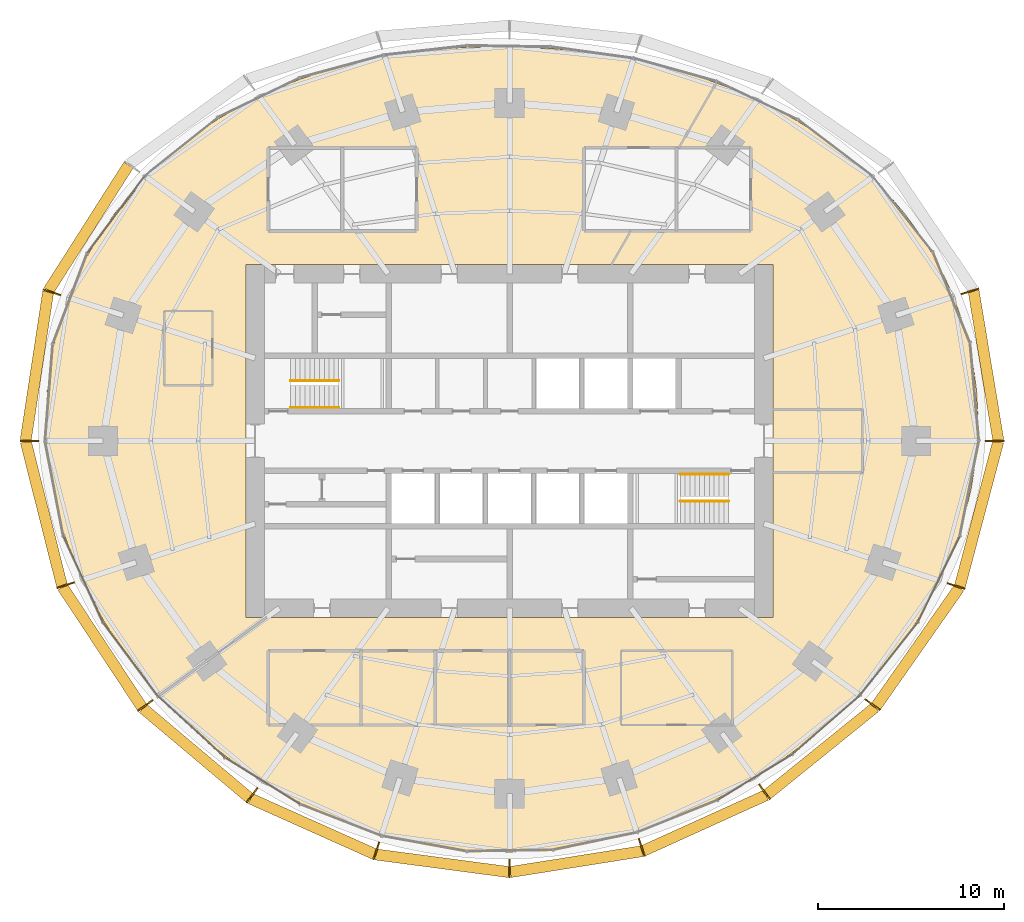
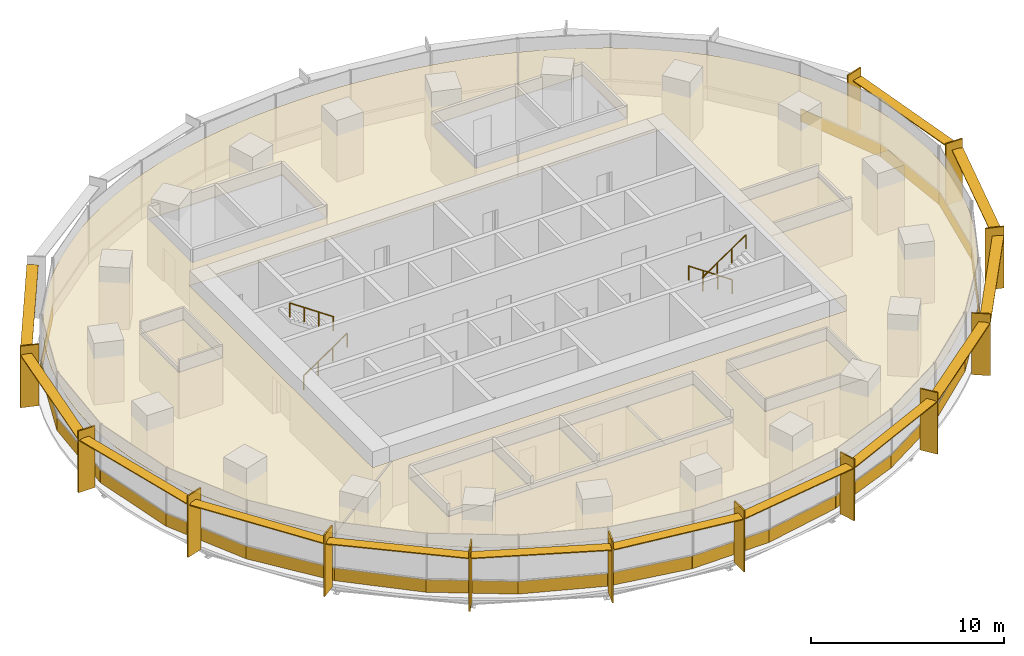
# One storey, part 13 of 14: 29 coverings, 26 shading devices, 4 railings.
"""IFC4 building model written with IfcOpenShell, lengths in metres."""

from ifc_helpers import new_model, si_unit, direction, frame, origin, origin_2d, place, context, subcontext, project, spatial, polyline, rectangle, circle, outline, extrude, material, layer, layer_set, type_object, element, save


model = new_model("IFC4")

# Units and contexts
model_context = context("Model", 3, precision=1e-05, world=origin(), true_north=direction((0.0, 1.0)))
body_context = subcontext(model_context, "Body", "Model", "MODEL_VIEW")
ifc_project = project(units=[si_unit("LENGTHUNIT", "METRE"), si_unit("AREAUNIT", "SQUARE_METRE"), si_unit("VOLUMEUNIT", "CUBIC_METRE"), si_unit("PLANEANGLEUNIT", "RADIAN"), si_unit("MASSUNIT", "GRAM", prefix="KILO")], contexts=[model_context])

# Site, building, storey
site_placement = place(None, origin())
site = spatial("IfcSite", under=ifc_project, at=site_placement, CompositionType="ELEMENT")
building_placement = place(site_placement, origin())
building = spatial("IfcBuilding", under=site, at=building_placement, Name="Marramba Exchange Tower", CompositionType="ELEMENT")
storey_placement = place(building_placement, frame((0.0, 0.0, 139.199951171875)))
storey = spatial("IfcBuildingStorey", under=building, at=storey_placement, Name="L33", CompositionType="ELEMENT", Elevation=139.199951171875)

# Shading devices
ifc_material_1 = material(Name="Aluminium blade, timber-look bronze finish", Category="wood")
ifc_layer_1 = layer(ifc_material_1, 0.080078125)
ifc_layer_set_1 = layer_set([ifc_layer_1], Name="Floor-edge blade 1000x80")
shading_device_type_1 = type_object("IfcShadingDeviceType", Name="Floor-edge blade 1000x80", PredefinedType="USERDEFINED", material=ifc_layer_set_1)
for number, where, z_axis, x_axis, name in (
    (1, (26.132080078125, 0.0, -0.159912109375), (0.0, 0.0, 1.0), (1.0, 0.0, 0.0), "Floor-edge blade FB1 L33 TC01"),
    (2, (24.798583984375, 8.0576171875, -0.159912109375), (0.0, 0.0, 1.0), (0.951056516295, 0.309016994375, 0.0), "Floor-edge blade FB1 L33 TC02"),
    (3, (-24.653076171875, 8.01025390625, -0.159912109375), (0.0, 0.0, 1.0), (-0.951056516295, 0.309016994375, 0.0), "Floor-edge blade FB1 L33 TC10"),
    (4, (-25.867919921875, 0.0, -0.159912109375), (0.0, 0.0, 1.0), (-1.0, 0.0, 0.0), "Floor-edge blade FB1 L33 TC11"),
    (5, (-23.90673828125, -7.767822265625, -0.159912109375), (0.0, 0.0, 1.0), (-0.951056516295, -0.309016994375, 0.0), "Floor-edge blade FB1 L33 TC12"),
    (6, (-19.618408203125, -14.253662109375, -0.159912109375), (0.0, 0.0, 1.0), (-0.809016994375, -0.587785252292, 0.0), "Floor-edge blade FB1 L33 TC13"),
    (7, (-13.866943359375, -19.08642578125, -0.159912109375), (0.0, 0.0, 1.0), (-0.587785252292, -0.809016994375, 0.0), "Floor-edge blade FB1 L33 TC14"),
    (8, (-7.173828125, -22.078857421875, -0.159912109375), (0.0, 0.0, 1.0), (-0.309016994375, -0.951056516295, 0.0), "Floor-edge blade FB1 L33 TC15"),
    (9, (0.0, -23.02685546875, -0.159912109375), (0.0, 0.0, 1.0), (0.0, -1.0, 0.0), "Floor-edge blade FB1 L33 TC16"),
    (10, (7.115966796875, -21.900634765625, -0.159912109375), (0.0, 0.0, 1.0), (0.309016994375, -0.951056516295, 0.0), "Floor-edge blade FB1 L33 TC17"),
    (11, (13.733154296875, -18.902099609375, -0.159912109375), (0.0, 0.0, 1.0), (0.587785252292, -0.809016994375, 0.0), "Floor-edge blade FB1 L33 TC18"),
    (12, (19.555908203125, -14.208251953125, -0.159912109375), (0.0, 0.0, 1.0), (0.809016994375, -0.587785252292, 0.0), "Floor-edge blade FB1 L33 TC19"),
    (13, (24.052001953125, -7.81494140625, -0.159912109375), (0.0, 0.0, 1.0), (0.951056516295, -0.309016994375, 0.0), "Floor-edge blade FB1 L33 TC20"),
):
    element("IfcShadingDevice", number, at=place(storey_placement, frame(where, z_axis=z_axis, x_axis=x_axis)), inside=storey, type_object=shading_device_type_1, Name=name, ObjectType="FIN", PredefinedType="USERDEFINED", context=body_context, shape_type="SweptSolid", body=[
        extrude(rectangle(XDim=1.0, YDim=0.080078125, at=origin_2d()), origin(), (0.0, 0.0, 1.0), 3.89990234375),
    ])
ifc_material_2 = material(Name="Aluminium sunshade, bronze anodised", Category="aluminium")
ifc_layer_2 = layer(ifc_material_2, 0.06005859375)
ifc_layer_set_2 = layer_set([ifc_layer_2], Name="SUNSHADE blade 600x60")
shading_device_type_2 = type_object("IfcShadingDeviceType", Name="SUNSHADE blade 600x60", PredefinedType="USERDEFINED", material=ifc_layer_set_2)
shading_device_1_placement = place(storey_placement, frame((25.660400390625, 4.0595703125, 3.159912109375), z_axis=(0.0, 0.0, 1.0), x_axis=(-0.163227675764, 0.986588427798, 0.0)))
element("IfcShadingDevice", 14, at=shading_device_1_placement, inside=storey, type_object=shading_device_type_2, Name="Sunshade SS1 L33 bay 01", ObjectType="SUNSHADE", PredefinedType="USERDEFINED", context=body_context, shape_type="SweptSolid", body=[
    extrude(rectangle(XDim=8.149658203125, YDim=0.60009765625, at=origin_2d()), origin(), (0.0, 0.0, 1.0), 0.06005859375),
])
shading_device_2_placement = place(storey_placement, frame((-22.6708984375, 11.482421875, 3.159912109375), z_axis=(0.0, 0.0, 1.0), x_axis=(-0.537284770546, -0.843400898351, 0.0)))
element("IfcShadingDevice", 15, at=shading_device_2_placement, inside=storey, type_object=shading_device_type_2, Name="Sunshade SS1 L33 bay 09", ObjectType="SUNSHADE", PredefinedType="USERDEFINED", context=body_context, shape_type="SweptSolid", body=[
    extrude(rectangle(XDim=8.007080078125, YDim=0.60009765625, at=origin_2d()), origin(), (0.0, 0.0, 1.0), 0.06005859375),
])
shading_device_3_placement = place(storey_placement, frame((-25.455810546875, 4.0361328125, 3.159912109375), z_axis=(0.0, 0.0, 1.0), x_axis=(-0.14999307077, -0.988687047918, 0.0)))
element("IfcShadingDevice", 16, at=shading_device_3_placement, inside=storey, type_object=shading_device_type_2, Name="Sunshade SS1 L33 bay 10", ObjectType="SUNSHADE", PredefinedType="USERDEFINED", context=body_context, shape_type="SweptSolid", body=[
    extrude(rectangle(XDim=8.08447265625, YDim=0.60009765625, at=origin_2d()), origin(), (0.0, 0.0, 1.0), 0.06005859375),
])
shading_device_4_placement = place(storey_placement, frame((-25.08251953125, -3.914794921875, 3.159912109375), z_axis=(0.0, 0.0, 1.0), x_axis=(0.244116522902, -0.969745906537, 0.0)))
element("IfcShadingDevice", 17, at=shading_device_4_placement, inside=storey, type_object=shading_device_type_2, Name="Sunshade SS1 L33 bay 11", ObjectType="SUNSHADE", PredefinedType="USERDEFINED", context=body_context, shape_type="SweptSolid", body=[
    extrude(rectangle(XDim=7.993896484375, YDim=0.60009765625, at=origin_2d()), origin(), (0.0, 0.0, 1.0), 0.06005859375),
])
shading_device_5_placement = place(storey_placement, frame((-21.938720703125, -11.100341796875, 3.159912109375), z_axis=(0.0, 0.0, 1.0), x_axis=(0.550792342935, -0.834642315585, 0.0)))
element("IfcShadingDevice", 18, at=shading_device_5_placement, inside=storey, type_object=shading_device_type_2, Name="Sunshade SS1 L33 bay 12", ObjectType="SUNSHADE", PredefinedType="USERDEFINED", context=body_context, shape_type="SweptSolid", body=[
    extrude(rectangle(XDim=7.757568359375, YDim=0.60009765625, at=origin_2d()), origin(), (0.0, 0.0, 1.0), 0.06005859375),
])
shading_device_6_placement = place(storey_placement, frame((-16.88232421875, -16.8095703125, 3.159912109375), z_axis=(0.0, 0.0, 1.0), x_axis=(0.76513863304, -0.643865569998, 0.0)))
element("IfcShadingDevice", 19, at=shading_device_6_placement, inside=storey, type_object=shading_device_type_2, Name="Sunshade SS1 L33 bay 13", ObjectType="SUNSHADE", PredefinedType="USERDEFINED", context=body_context, shape_type="SweptSolid", body=[
    extrude(rectangle(XDim=7.49462890625, YDim=0.60009765625, at=origin_2d()), origin(), (0.0, 0.0, 1.0), 0.06005859375),
])
shading_device_7_placement = place(storey_placement, frame((-10.610107421875, -20.758544921875, 3.159912109375), z_axis=(0.0, 0.0, 1.0), x_axis=(0.912735880581, -0.408550134377, 0.0)))
element("IfcShadingDevice", 20, at=shading_device_7_placement, inside=storey, type_object=shading_device_type_2, Name="Sunshade SS1 L33 bay 14", ObjectType="SUNSHADE", PredefinedType="USERDEFINED", context=body_context, shape_type="SweptSolid", body=[
    extrude(rectangle(XDim=7.314208984375, YDim=0.60009765625, at=origin_2d()), origin(), (0.0, 0.0, 1.0), 0.06005859375),
])
shading_device_8_placement = place(storey_placement, frame((-3.617919921875, -22.748046875, 3.159912109375), z_axis=(0.0, 0.0, 1.0), x_axis=(0.991350478855, -0.131241106646, 0.0)))
element("IfcShadingDevice", 21, at=shading_device_8_placement, inside=storey, type_object=shading_device_type_2, Name="Sunshade SS1 L33 bay 15", ObjectType="SUNSHADE", PredefinedType="USERDEFINED", context=body_context, shape_type="SweptSolid", body=[
    extrude(rectangle(XDim=7.21875, YDim=0.60009765625, at=origin_2d()), origin(), (0.0, 0.0, 1.0), 0.06005859375),
])
shading_device_9_placement = place(storey_placement, frame((3.5888671875, -22.658935546875, 3.159912109375), z_axis=(0.0, 0.0, 1.0), x_axis=(0.987704817912, 0.15633039587, 0.0)))
element("IfcShadingDevice", 22, at=shading_device_9_placement, inside=storey, type_object=shading_device_type_2, Name="Sunshade SS1 L33 bay 16", ObjectType="SUNSHADE", PredefinedType="USERDEFINED", context=body_context, shape_type="SweptSolid", body=[
    extrude(rectangle(XDim=7.18701171875, YDim=0.60009765625, at=origin_2d()), origin(), (0.0, 0.0, 1.0), 0.06005859375),
])
shading_device_10_placement = place(storey_placement, frame((10.514404296875, -20.577392578125, 3.159912109375), z_axis=(0.0, 0.0, 1.0), x_axis=(0.910692240548, 0.413085515366, 0.0)))
element("IfcShadingDevice", 23, at=shading_device_10_placement, inside=storey, type_object=shading_device_type_2, Name="Sunshade SS1 L33 bay 17", ObjectType="SUNSHADE", PredefinedType="USERDEFINED", context=body_context, shape_type="SweptSolid", body=[
    extrude(rectangle(XDim=7.24755859375, YDim=0.60009765625, at=origin_2d()), origin(), (0.0, 0.0, 1.0), 0.06005859375),
])
shading_device_11_placement = place(storey_placement, frame((16.7841796875, -16.69482421875, 3.159912109375), z_axis=(0.0, 0.0, 1.0), x_axis=(0.777962439436, 0.628310785223, 0.0)))
element("IfcShadingDevice", 24, at=shading_device_11_placement, inside=storey, type_object=shading_device_type_2, Name="Sunshade SS1 L33 bay 18", ObjectType="SUNSHADE", PredefinedType="USERDEFINED", context=body_context, shape_type="SweptSolid", body=[
    extrude(rectangle(XDim=7.46142578125, YDim=0.60009765625, at=origin_2d()), origin(), (0.0, 0.0, 1.0), 0.06005859375),
])
shading_device_12_placement = place(storey_placement, frame((21.97998046875, -11.101318359375, 3.159912109375), z_axis=(0.0, 0.0, 1.0), x_axis=(0.574350885858, 0.818609222959, 0.0)))
element("IfcShadingDevice", 25, at=shading_device_12_placement, inside=storey, type_object=shading_device_type_2, Name="Sunshade SS1 L33 bay 19", ObjectType="SUNSHADE", PredefinedType="USERDEFINED", context=body_context, shape_type="SweptSolid", body=[
    extrude(rectangle(XDim=7.7978515625, YDim=0.60009765625, at=origin_2d()), origin(), (0.0, 0.0, 1.0), 0.06005859375),
])
shading_device_13_placement = place(storey_placement, frame((25.287109375, -3.9384765625, 3.159912109375), z_axis=(0.0, 0.0, 1.0), x_axis=(0.256422950151, 0.966564674833, 0.0)))
element("IfcShadingDevice", 26, at=shading_device_13_placement, inside=storey, type_object=shading_device_type_2, Name="Sunshade SS1 L33 bay 20", ObjectType="SUNSHADE", PredefinedType="USERDEFINED", context=body_context, shape_type="SweptSolid", body=[
    extrude(rectangle(XDim=8.0693359375, YDim=0.60009765625, at=origin_2d()), origin(), (0.0, 0.0, 1.0), 0.06005859375),
])

# Coverings
ifc_material_3 = material(Name="Aluminium spandrel panel, bronze anodised, insulated", Category="aluminium")
ifc_layer_3 = layer(ifc_material_3, 0.050048828125)
ifc_layer_set_3 = layer_set([ifc_layer_3], Name="Spandrel panel 800")
covering_type_1 = type_object("IfcCoveringType", Name="Spandrel panel 800", PredefinedType="CLADDING", material=ifc_layer_set_3)
covering_1_placement = place(storey_placement, frame((25.04541015625, 2.63671875, 0.0), z_axis=(0.0, 0.0, 1.0), x_axis=(-0.089412890131, 0.995994646109, 0.0)))
element("IfcCovering", 27, at=covering_1_placement, inside=storey, type_object=covering_type_1, Name="Spandrel panel SP1 L33 F01", PredefinedType="CLADDING", context=body_context, shape_type="SweptSolid", body=[
    extrude(rectangle(XDim=5.29443359375, YDim=0.050048828125, at=origin_2d()), origin(), (0.0, 0.0, 1.0), 0.800048828125),
])
covering_2_placement = place(storey_placement, frame((23.81201171875, 7.715576171875, 0.0), z_axis=(0.0, 0.0, 1.0), x_axis=(-0.377821185272, 0.925878583811, 0.0)))
element("IfcCovering", 28, at=covering_2_placement, inside=storey, type_object=covering_type_1, Name="Spandrel panel SP1 L33 F02", PredefinedType="CLADDING", context=body_context, shape_type="SweptSolid", body=[
    extrude(rectangle(XDim=5.27587890625, YDim=0.050048828125, at=origin_2d()), origin(), (0.0, 0.0, 1.0), 0.800048828125),
])
covering_3_placement = place(storey_placement, frame((-21.19580078125, 12.20068359375, 0.0), z_axis=(0.0, 0.0, 1.0), x_axis=(-0.597703998161, -0.801716864349, 0.0)))
element("IfcCovering", 29, at=covering_3_placement, inside=storey, type_object=covering_type_1, Name="Spandrel panel SP1 L33 F13", PredefinedType="CLADDING", context=body_context, shape_type="SweptSolid", body=[
    extrude(rectangle(XDim=5.17626953125, YDim=0.050048828125, at=origin_2d()), origin(), (0.0, 0.0, 1.0), 0.800048828125),
])
covering_4_placement = place(storey_placement, frame((-23.671875, 7.677490234375, 0.0), z_axis=(0.0, 0.0, 1.0), x_axis=(-0.354844476365, -0.934925343326, 0.0)))
element("IfcCovering", 30, at=covering_4_placement, inside=storey, type_object=covering_type_1, Name="Spandrel panel SP1 L33 F14", PredefinedType="CLADDING", context=body_context, shape_type="SweptSolid", body=[
    extrude(rectangle(XDim=5.2373046875, YDim=0.050048828125, at=origin_2d()), origin(), (0.0, 0.0, 1.0), 0.800048828125),
])
covering_5_placement = place(storey_placement, frame((-24.8095703125, 2.614501953125, 0.0), z_axis=(0.0, 0.0, 1.0), x_axis=(-0.079459700697, -0.996838079111, 0.0)))
element("IfcCovering", 31, at=covering_5_placement, inside=storey, type_object=covering_type_1, Name="Spandrel panel SP1 L33 F15", PredefinedType="CLADDING", context=body_context, shape_type="SweptSolid", body=[
    extrude(rectangle(XDim=5.245849609375, YDim=0.050048828125, at=origin_2d()), origin(), (0.0, 0.0, 1.0), 0.800048828125),
])
covering_6_placement = place(storey_placement, frame((-24.5283203125, -2.5546875, 0.0), z_axis=(0.0, 0.0, 1.0), x_axis=(0.188227222909, -0.982125507538, 0.0)))
element("IfcCovering", 32, at=covering_6_placement, inside=storey, type_object=covering_type_1, Name="Spandrel panel SP1 L33 F16", PredefinedType="CLADDING", context=body_context, shape_type="SweptSolid", body=[
    extrude(rectangle(XDim=5.20263671875, YDim=0.050048828125, at=origin_2d()), origin(), (0.0, 0.0, 1.0), 0.800048828125),
])
covering_7_placement = place(storey_placement, frame((-22.973876953125, -7.43212890625, 0.0), z_axis=(0.0, 0.0, 1.0), x_axis=(0.416737850896, -0.909026712275, 0.0)))
element("IfcCovering", 33, at=covering_7_placement, inside=storey, type_object=covering_type_1, Name="Spandrel panel SP1 L33 F17", PredefinedType="CLADDING", context=body_context, shape_type="SweptSolid", body=[
    extrude(rectangle(XDim=5.10986328125, YDim=0.050048828125, at=origin_2d()), origin(), (0.0, 0.0, 1.0), 0.800048828125),
])
covering_8_placement = place(storey_placement, frame((-20.419921875, -11.75439453125, 0.0), z_axis=(0.0, 0.0, 1.0), x_axis=(0.597304701232, -0.802014397555, 0.0)))
element("IfcCovering", 34, at=covering_8_placement, inside=storey, type_object=covering_type_1, Name="Spandrel panel SP1 L33 F18", PredefinedType="CLADDING", context=body_context, shape_type="SweptSolid", body=[
    extrude(rectangle(XDim=4.986572265625, YDim=0.050048828125, at=origin_2d()), origin(), (0.0, 0.0, 1.0), 0.800048828125),
])
covering_9_placement = place(storey_placement, frame((-17.135986328125, -15.39599609375, 0.0), z_axis=(0.0, 0.0, 1.0), x_axis=(0.737821889246, -0.674995451651, 0.0)))
element("IfcCovering", 35, at=covering_9_placement, inside=storey, type_object=covering_type_1, Name="Spandrel panel SP1 L33 F19", PredefinedType="CLADDING", context=body_context, shape_type="SweptSolid", body=[
    extrude(rectangle(XDim=4.865234375, YDim=0.050048828125, at=origin_2d()), origin(), (0.0, 0.0, 1.0), 0.800048828125),
])
covering_10_placement = place(storey_placement, frame((-13.31787109375, -18.300537109375, 0.0), z_axis=(0.0, 0.0, 1.0), x_axis=(0.848354599309, -0.529428440708, 0.0)))
element("IfcCovering", 36, at=covering_10_placement, inside=storey, type_object=covering_type_1, Name="Spandrel panel SP1 L33 F20", PredefinedType="CLADDING", context=body_context, shape_type="SweptSolid", body=[
    extrude(rectangle(XDim=4.76953125, YDim=0.050048828125, at=origin_2d()), origin(), (0.0, 0.0, 1.0), 0.800048828125),
])
covering_11_placement = place(storey_placement, frame((-9.10302734375, -20.416748046875, 0.0), z_axis=(0.0, 0.0, 1.0), x_axis=(0.931818387481, -0.362924913381, 0.0)))
element("IfcCovering", 37, at=covering_11_placement, inside=storey, type_object=covering_type_1, Name="Spandrel panel SP1 L33 F21", PredefinedType="CLADDING", context=body_context, shape_type="SweptSolid", body=[
    extrude(rectangle(XDim=4.704345703125, YDim=0.050048828125, at=origin_2d()), origin(), (0.0, 0.0, 1.0), 0.800048828125),
])
covering_12_placement = place(storey_placement, frame((-4.616943359375, -21.685302734375, 0.0), z_axis=(0.0, 0.0, 1.0), x_axis=(0.984031866928, -0.177992373069, 0.0)))
element("IfcCovering", 38, at=covering_12_placement, inside=storey, type_object=covering_type_1, Name="Spandrel panel SP1 L33 F22", PredefinedType="CLADDING", context=body_context, shape_type="SweptSolid", body=[
    extrude(rectangle(XDim=4.662841796875, YDim=0.050048828125, at=origin_2d()), origin(), (0.0, 0.0, 1.0), 0.800048828125),
])
covering_13_placement = place(storey_placement, frame((-0.003662109375, -22.065185546875, 0.0), z_axis=(0.0, 0.0, 1.0), x_axis=(0.999884797651, 0.015178650325, 0.0)))
element("IfcCovering", 39, at=covering_13_placement, inside=storey, type_object=covering_type_1, Name="Spandrel panel SP1 L33 F23", PredefinedType="CLADDING", context=body_context, shape_type="SweptSolid", body=[
    extrude(rectangle(XDim=4.638916015625, YDim=0.050048828125, at=origin_2d()), origin(), (0.0, 0.0, 1.0), 0.800048828125),
])
covering_14_placement = place(storey_placement, frame((4.58447265625, -21.56103515625, 0.0), z_axis=(0.0, 0.0, 1.0), x_axis=(0.979310200528, 0.202364846604, 0.0)))
element("IfcCovering", 40, at=covering_14_placement, inside=storey, type_object=covering_type_1, Name="Spandrel panel SP1 L33 F24", PredefinedType="CLADDING", context=body_context, shape_type="SweptSolid", body=[
    extrude(rectangle(XDim=4.6337890625, YDim=0.050048828125, at=origin_2d()), origin(), (0.0, 0.0, 1.0), 0.800048828125),
])
covering_15_placement = place(storey_placement, frame((9.014892578125, -20.225341796875, 0.0), z_axis=(0.0, 0.0, 1.0), x_axis=(0.928148914987, 0.372209069755, 0.0)))
element("IfcCovering", 41, at=covering_15_placement, inside=storey, type_object=covering_type_1, Name="Spandrel panel SP1 L33 F25", PredefinedType="CLADDING", context=body_context, shape_type="SweptSolid", body=[
    extrude(rectangle(XDim=4.657958984375, YDim=0.050048828125, at=origin_2d()), origin(), (0.0, 0.0, 1.0), 0.800048828125),
])
covering_16_placement = place(storey_placement, frame((13.193115234375, -18.125244140625, 0.0), z_axis=(0.0, 0.0, 1.0), x_axis=(0.853109118827, 0.521732528576, 0.0)))
element("IfcCovering", 42, at=covering_16_placement, inside=storey, type_object=covering_type_1, Name="Spandrel panel SP1 L33 F26", PredefinedType="CLADDING", context=body_context, shape_type="SweptSolid", body=[
    extrude(rectangle(XDim=4.7275390625, YDim=0.050048828125, at=origin_2d()), origin(), (0.0, 0.0, 1.0), 0.800048828125),
])
covering_17_placement = place(storey_placement, frame((17.038818359375, -15.30029296875, 0.0), z_axis=(0.0, 0.0, 1.0), x_axis=(0.754385510875, 0.656431642277, 0.0)))
element("IfcCovering", 43, at=covering_17_placement, inside=storey, type_object=covering_type_1, Name="Spandrel panel SP1 L33 F27", PredefinedType="CLADDING", context=body_context, shape_type="SweptSolid", body=[
    extrude(rectangle(XDim=4.849609375, YDim=0.050048828125, at=origin_2d()), origin(), (0.0, 0.0, 1.0), 0.800048828125),
])
covering_18_placement = place(storey_placement, frame((20.425048828125, -11.747802734375, 0.0), z_axis=(0.0, 0.0, 1.0), x_axis=(0.621807470279, 0.783170141097, 0.0)))
element("IfcCovering", 44, at=covering_18_placement, inside=storey, type_object=covering_type_1, Name="Spandrel panel SP1 L33 F28", PredefinedType="CLADDING", context=body_context, shape_type="SweptSolid", body=[
    extrude(rectangle(XDim=5.00732421875, YDim=0.050048828125, at=origin_2d()), origin(), (0.0, 0.0, 1.0), 0.800048828125),
])
covering_19_placement = place(storey_placement, frame((23.114013671875, -7.47021484375, 0.0), z_axis=(0.0, 0.0, 1.0), x_axis=(0.439086346903, 0.898444867515, 0.0)))
element("IfcCovering", 45, at=covering_19_placement, inside=storey, type_object=covering_type_1, Name="Spandrel panel SP1 L33 F29", PredefinedType="CLADDING", context=body_context, shape_type="SweptSolid", body=[
    extrude(rectangle(XDim=5.156982421875, YDim=0.050048828125, at=origin_2d()), origin(), (0.0, 0.0, 1.0), 0.800048828125),
])
covering_20_placement = place(storey_placement, frame((24.76416015625, -2.576904296875, 0.0), z_axis=(0.0, 0.0, 1.0), x_axis=(0.197048514193, 0.980393738788, 0.0)))
element("IfcCovering", 46, at=covering_20_placement, inside=storey, type_object=covering_type_1, Name="Spandrel panel SP1 L33 F30", PredefinedType="CLADDING", context=body_context, shape_type="SweptSolid", body=[
    extrude(rectangle(XDim=5.2568359375, YDim=0.050048828125, at=origin_2d()), origin(), (0.0, 0.0, 1.0), 0.800048828125),
])

# Railings
ifc_material_4 = material(Name="Stainless steel handrail", Category="steel")
railing_type = type_object("IfcRailingType", Name="Stair handrail 900", PredefinedType="HANDRAIL", material=ifc_material_4)
railing_1_placement = place(storey_placement, frame((-11.800048828125, 1.800048828125, 0.17724609375)))
element("IfcRailing", 47, at=railing_1_placement, inside=storey, type_object=railing_type, Name="Handrail HR1 ST1 L33 flight 1", PredefinedType="HANDRAIL", context=body_context, shape_type="SweptSolid", body=[
    extrude(circle(Radius=0.02392578125, at=origin_2d()), frame((0.0, 0.0, 0.8759765625), z_axis=(0.826240473404, 0.0, 0.563317565952), x_axis=(0.0, 1.0, 0.0)), (0.0, 0.0, 1.0), 3.14697265625),
    extrude(circle(Radius=0.02099609375, at=origin_2d()), origin(), (0.0, 0.0, 1.0), 0.851806640625),
    extrude(circle(Radius=0.02099609375, at=origin_2d()), frame((0.86669921875, 0.0, 0.5908203125)), (0.0, 0.0, 1.0), 0.851806640625),
    extrude(circle(Radius=0.02099609375, at=origin_2d()), frame((1.7333984375, 0.0, 1.181884765625)), (0.0, 0.0, 1.0), 0.851806640625),
    extrude(circle(Radius=0.02099609375, at=origin_2d()), frame((2.60009765625, 0.0, 1.772705078125)), (0.0, 0.0, 1.0), 0.851806640625),
])
for number, where, name in (
    (48, (-9.199951171875, 3.25, 2.12744140625), "Handrail HR1 ST1 L33 flight 2"),
    (49, (11.800048828125, -1.800048828125, 0.17724609375), "Handrail HR1 ST2 L33 flight 1"),
):
    element("IfcRailing", number, at=place(storey_placement, frame(where)), inside=storey, type_object=railing_type, Name=name, PredefinedType="HANDRAIL", context=body_context, shape_type="SweptSolid", body=[
        extrude(circle(Radius=0.02392578125, at=origin_2d()), frame((0.0, 0.0, 0.8759765625), z_axis=(-0.826240473404, 0.0, 0.563317565952), x_axis=(0.0, -1.0, 0.0)), (0.0, 0.0, 1.0), 3.14697265625),
        extrude(circle(Radius=0.02099609375, at=origin_2d()), origin(), (0.0, 0.0, 1.0), 0.851806640625),
        extrude(circle(Radius=0.02099609375, at=origin_2d()), frame((-0.86669921875, 0.0, 0.5908203125)), (0.0, 0.0, 1.0), 0.851806640625),
        extrude(circle(Radius=0.02099609375, at=origin_2d()), frame((-1.7333984375, 0.0, 1.181884765625)), (0.0, 0.0, 1.0), 0.851806640625),
        extrude(circle(Radius=0.02099609375, at=origin_2d()), frame((-2.60009765625, 0.0, 1.772705078125)), (0.0, 0.0, 1.0), 0.851806640625),
    ])
railing_2_placement = place(storey_placement, frame((9.199951171875, -3.25, 2.12744140625)))
element("IfcRailing", 50, at=railing_2_placement, inside=storey, type_object=railing_type, Name="Handrail HR1 ST2 L33 flight 2", PredefinedType="HANDRAIL", context=body_context, shape_type="SweptSolid", body=[
    extrude(circle(Radius=0.02392578125, at=origin_2d()), frame((0.0, 0.0, 0.8759765625), z_axis=(0.826240473404, 0.0, 0.563317565952), x_axis=(0.0, 1.0, 0.0)), (0.0, 0.0, 1.0), 3.14697265625),
    extrude(circle(Radius=0.02099609375, at=origin_2d()), origin(), (0.0, 0.0, 1.0), 0.851806640625),
    extrude(circle(Radius=0.02099609375, at=origin_2d()), frame((0.86669921875, 0.0, 0.5908203125)), (0.0, 0.0, 1.0), 0.851806640625),
    extrude(circle(Radius=0.02099609375, at=origin_2d()), frame((1.7333984375, 0.0, 1.181884765625)), (0.0, 0.0, 1.0), 0.851806640625),
    extrude(circle(Radius=0.02099609375, at=origin_2d()), frame((2.60009765625, 0.0, 1.772705078125)), (0.0, 0.0, 1.0), 0.851806640625),
])

# Coverings
ifc_material_5 = material(Name="Mineral fibre ceiling tiles", Category="gypsum")
ifc_layer_4 = layer(ifc_material_5, 0.02001953125)
ifc_layer_set_4 = layer_set([ifc_layer_4], Name="Suspended ceiling 20")
covering_type_2 = type_object("IfcCoveringType", Name="Suspended ceiling 20", PredefinedType="CEILING", material=ifc_layer_set_4)
covering_21_placement = place(storey_placement, frame((0.0, 0.0, 2.900146484375)))
element("IfcCovering", 51, at=covering_21_placement, inside=storey, type_object=covering_type_2, Name="Ceiling CL1 L33 Software Development Office", PredefinedType="CEILING", context=body_context, shape_type="SweptSolid", body=[
    extrude(outline(polyline([(-14.199951171875, -9.5), (-13.07568359375, -9.5), (-18.865966796875, -13.706787109375), (-19.673095703125, -12.77587890625), (-20.439697265625, -11.80078125), (-21.162109375, -10.78271484375), (-21.836181640625, -9.72216796875), (-22.457763671875, -8.62060546875), (-23.022216796875, -7.48046875), (-23.52490234375, -6.303466796875), (-23.96044921875, -5.093017578125), (-24.32421875, -3.8525390625), (-24.611083984375, -2.586669921875), (-24.81689453125, -1.300537109375), (-24.93798828125, 0.0), (-24.970947265625, 1.30859375), (-24.913330078125, 2.618408203125), (-24.76416015625, 3.92236328125), (-24.52294921875, 5.21240234375), (-24.1904296875, 6.481689453125), (-23.768798828125, 7.722900390625), (-23.260498046875, 8.928955078125), (-22.669677734375, 10.09326171875), (-22.0009765625, 11.2099609375), (-21.259765625, 12.2744140625), (-20.451904296875, 13.28173828125), (-19.583984375, 14.228759765625), (-18.66259765625, 15.11279296875), (-17.6943359375, 15.93212890625), (-16.685791015625, 16.685791015625), (-15.643798828125, 17.374267578125), (-14.57421875, 17.99755859375), (-13.482666015625, 18.55712890625), (-12.37451171875, 19.05517578125), (-11.2548828125, 19.493896484375), (-10.127197265625, 19.875732421875), (-8.995361328125, 20.203857421875), (-7.862060546875, 20.4814453125), (-6.7294921875, 20.711181640625), (-5.59912109375, 20.896484375), (-4.47216796875, 21.0400390625), (-3.34912109375, 21.14453125), (-2.2294921875, 21.212158203125), (-1.11328125, 21.244384765625), (0.0, 21.2431640625), (1.111572265625, 21.208740234375), (2.22216796875, 21.1416015625), (3.332763671875, 21.041748046875), (4.444091796875, 20.907958984375), (5.556884765625, 20.739013671875), (6.671630859375, 20.533203125), (7.787841796875, 20.287841796875), (8.905029296875, 20.0009765625), (10.02197265625, 19.6689453125), (11.13671875, 19.289306640625), (9.1220703125, 15.800048828125), (9.0, 15.800048828125), (4.0, 15.800048828125), (4.0, 11.300048828125), (6.52392578125, 11.300048828125), (5.48486328125, 9.5), (-14.199951171875, 9.5), (-14.199951171875, -9.5)]), holes=[polyline([(-13.0, 11.300048828125), (-9.0, 11.300048828125), (-5.0, 11.300048828125), (-5.0, 15.800048828125), (-9.0, 15.800048828125), (-13.0, 15.800048828125), (-13.0, 11.300048828125)]), polyline([(-18.60009765625, 3.0), (-16.0, 3.0), (-16.0, 7.0), (-18.60009765625, 7.0), (-18.60009765625, 3.0)])]), origin(), (0.0, 0.0, 1.0), 0.02001953125),
])
covering_22_placement = place(storey_placement, frame((0.0, 0.0, 2.900146484375)))
element("IfcCovering", 52, at=covering_22_placement, inside=storey, type_object=covering_type_2, Name="Ceiling CL1 L33 Service Desk Office", PredefinedType="CEILING", context=body_context, shape_type="SweptSolid", body=[
    extrude(outline(polyline([(14.199951171875, -9.5), (14.199951171875, -1.699951171875), (19.0, -1.699951171875), (19.0, 1.699951171875), (14.199951171875, 1.699951171875), (14.199951171875, 9.5), (5.48486328125, 9.5), (6.52392578125, 11.300048828125), (9.0, 11.300048828125), (13.0, 11.300048828125), (13.0, 15.800048828125), (9.1220703125, 15.800048828125), (11.13671875, 19.289306640625), (12.24658203125, 18.8583984375), (13.348876953125, 18.373046875), (14.43896484375, 17.830810546875), (15.512451171875, 17.228271484375), (16.563720703125, 16.563720703125), (17.5869140625, 15.835205078125), (18.5751953125, 15.041748046875), (19.521484375, 14.18310546875), (20.4189453125, 13.26025390625), (21.259765625, 12.2744140625), (22.03662109375, 11.228271484375), (22.7421875, 10.12548828125), (23.3701171875, 8.970947265625), (23.9140625, 7.77001953125), (24.368896484375, 6.529541015625), (24.73046875, 5.256591796875), (24.99560546875, 3.958984375), (25.16259765625, 2.644775390625), (25.231201171875, 1.322265625), (25.201904296875, 0.0), (25.077392578125, -1.314208984375), (24.8603515625, -2.61279296875), (24.555419921875, -3.88916015625), (24.16796875, -5.136962890625), (23.703125, -6.351318359375), (23.16748046875, -7.527587890625), (22.5673828125, -8.662841796875), (21.90869140625, -9.75439453125), (21.197509765625, -10.80078125), (20.439697265625, -11.80078125), (19.64013671875, -12.75439453125), (18.803466796875, -13.66162109375), (17.93359375, -14.5224609375), (17.033935546875, -15.33740234375), (16.107421875, -16.107421875), (15.156005859375, -16.83251953125), (14.181884765625, -17.51318359375), (13.1865234375, -18.14990234375), (12.171142578125, -18.741943359375), (11.13671875, -19.289306640625), (10.083984375, -19.791259765625), (9.0146484375, -20.2470703125), (7.928955078125, -20.65576171875), (6.82861328125, -21.01611328125), (5.714599609375, -21.3271484375), (4.58837890625, -21.587158203125), (3.4521484375, -21.79541015625), (2.30712890625, -21.950439453125), (1.15576171875, -22.05126953125), (0.0, -22.096923828125), (-1.157470703125, -22.0869140625), (-2.314453125, -22.020751953125), (-3.468505859375, -21.898193359375), (-4.61669921875, -21.719482421875), (-5.7568359375, -21.484619140625), (-6.886474609375, -21.1943359375), (-8.00341796875, -20.84912109375), (-9.10498046875, -20.4501953125), (-10.189453125, -19.997802734375), (-11.2548828125, -19.493896484375), (-12.299072265625, -18.938720703125), (-13.3203125, -18.333984375), (-14.317138671875, -17.68017578125), (-15.28759765625, -16.978515625), (-16.229736328125, -16.229736328125), (-17.1416015625, -15.434326171875), (-18.021240234375, -14.59326171875), (-18.865966796875, -13.706787109375), (-14.729248046875, -10.701416015625), (-13.07568359375, -9.5), (14.199951171875, -9.5)]), holes=[polyline([(6.0, -11.300048828125), (6.0, -15.300048828125), (12.0, -15.300048828125), (12.0, -11.300048828125), (6.0, -11.300048828125)]), polyline([(-13.0, -15.300048828125), (-8.0, -15.300048828125), (-4.0, -15.300048828125), (0.0, -15.300048828125), (4.0, -15.300048828125), (4.0, -11.300048828125), (0.0, -11.300048828125), (-4.0, -11.300048828125), (-8.0, -11.300048828125), (-13.0, -11.300048828125), (-13.0, -15.300048828125)])]), origin(), (0.0, 0.0, 1.0), 0.02001953125),
])
covering_23_placement = place(storey_placement, frame((0.0, 0.0, 2.900146484375)))
element("IfcCovering", 53, at=covering_23_placement, inside=storey, type_object=covering_type_2, Name="Ceiling CL1 L33 Corridor", PredefinedType="CEILING", context=body_context, shape_type="SweptSolid", body=[
    extrude(outline(polyline([(14.199951171875, -1.699951171875), (14.199951171875, 1.699951171875), (19.0, 1.699951171875), (19.0, -1.699951171875), (14.199951171875, -1.699951171875)])), origin(), (0.0, 0.0, 1.0), 0.02001953125),
])
covering_24_placement = place(storey_placement, frame((0.0, 0.0, 2.900146484375)))
element("IfcCovering", 54, at=covering_24_placement, inside=storey, type_object=covering_type_2, Name="Ceiling CL1 L33 Meeting Room 3", PredefinedType="CEILING", context=body_context, shape_type="SweptSolid", body=[
    extrude(outline(polyline([(-8.0, -15.300048828125), (-13.0, -15.300048828125), (-13.0, -11.300048828125), (-8.0, -11.300048828125), (-8.0, -15.300048828125)])), origin(), (0.0, 0.0, 1.0), 0.02001953125),
])
covering_25_placement = place(storey_placement, frame((0.0, 0.0, 2.900146484375)))
element("IfcCovering", 55, at=covering_25_placement, inside=storey, type_object=covering_type_2, Name="Ceiling CL1 L33 Quiet Room 1", PredefinedType="CEILING", context=body_context, shape_type="SweptSolid", body=[
    extrude(outline(polyline([(-4.0, -15.300048828125), (-8.0, -15.300048828125), (-8.0, -11.300048828125), (-4.0, -11.300048828125), (-4.0, -15.300048828125)])), origin(), (0.0, 0.0, 1.0), 0.02001953125),
])
covering_26_placement = place(storey_placement, frame((0.0, 0.0, 2.900146484375)))
element("IfcCovering", 56, at=covering_26_placement, inside=storey, type_object=covering_type_2, Name="Ceiling CL1 L33 Quiet Room 2", PredefinedType="CEILING", context=body_context, shape_type="SweptSolid", body=[
    extrude(outline(polyline([(0.0, -15.300048828125), (-4.0, -15.300048828125), (-4.0, -11.300048828125), (0.0, -11.300048828125), (0.0, -15.300048828125)])), origin(), (0.0, 0.0, 1.0), 0.02001953125),
])
covering_27_placement = place(storey_placement, frame((0.0, 0.0, 2.900146484375)))
element("IfcCovering", 57, at=covering_27_placement, inside=storey, type_object=covering_type_2, Name="Ceiling CL1 L33 Quiet Room 3", PredefinedType="CEILING", context=body_context, shape_type="SweptSolid", body=[
    extrude(outline(polyline([(4.0, -15.300048828125), (0.0, -15.300048828125), (0.0, -11.300048828125), (4.0, -11.300048828125), (4.0, -15.300048828125)])), origin(), (0.0, 0.0, 1.0), 0.02001953125),
])
covering_28_placement = place(storey_placement, frame((0.0, 0.0, 2.900146484375)))
element("IfcCovering", 58, at=covering_28_placement, inside=storey, type_object=covering_type_2, Name="Ceiling CL1 L33 Pantry", PredefinedType="CEILING", context=body_context, shape_type="SweptSolid", body=[
    extrude(outline(polyline([(12.0, -15.300048828125), (6.0, -15.300048828125), (6.0, -11.300048828125), (12.0, -11.300048828125), (12.0, -15.300048828125)])), origin(), (0.0, 0.0, 1.0), 0.02001953125),
])
covering_29_placement = place(storey_placement, frame((0.0, 0.0, 2.900146484375)))
element("IfcCovering", 59, at=covering_29_placement, inside=storey, type_object=covering_type_2, Name="Ceiling CL1 L33 Print Room", PredefinedType="CEILING", context=body_context, shape_type="SweptSolid", body=[
    extrude(outline(polyline([(-16.0, 3.0), (-18.60009765625, 3.0), (-18.60009765625, 7.0), (-16.0, 7.0), (-16.0, 3.0)])), origin(), (0.0, 0.0, 1.0), 0.02001953125),
])

save(model, "model.ifc")
